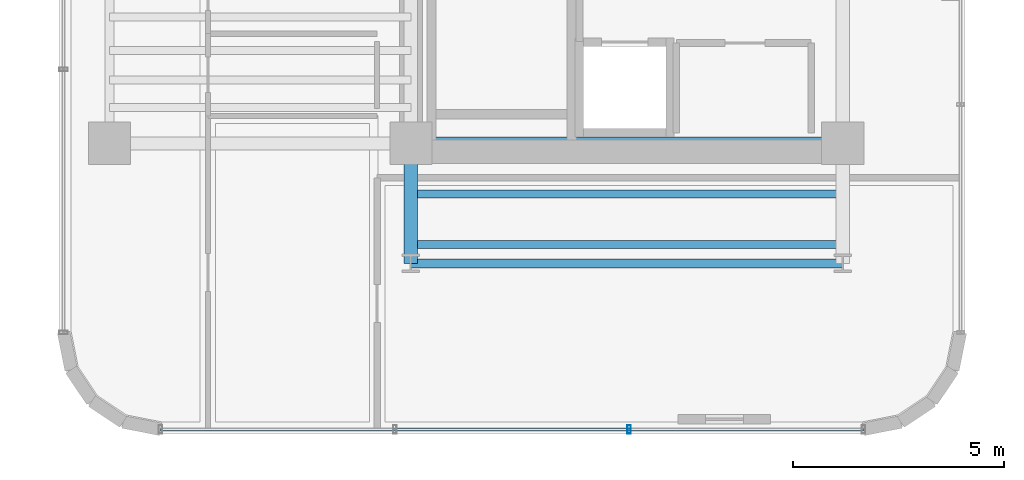
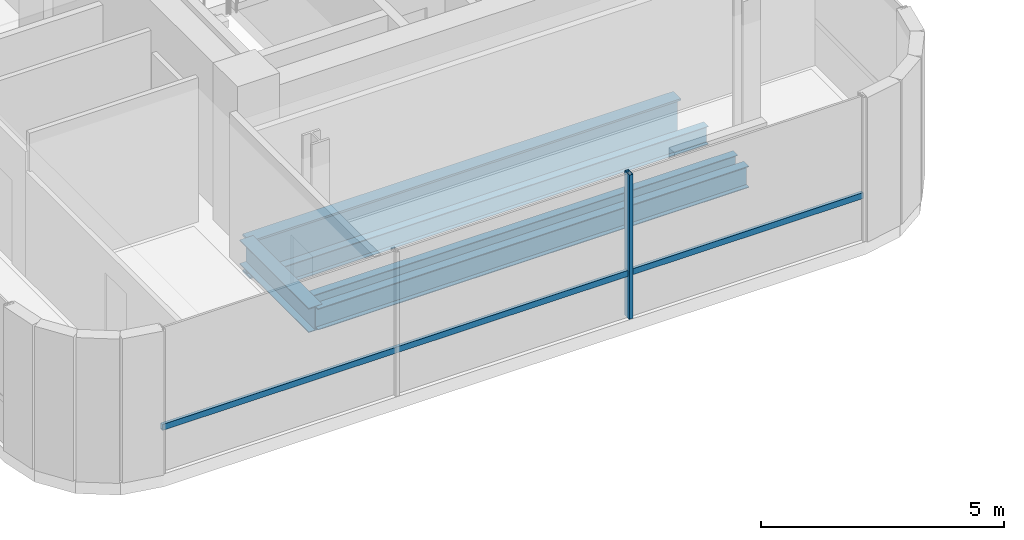
# One storey, part 3 of 38: 5 beams, 2 members, 1 element without a shape of its own.
"""IFC4 building model written with IfcOpenShell, lengths in metres."""

from ifc_helpers import new_model, si_unit, direction, frame, origin, origin_2d, place, context, subcontext, project, spatial, hollow_rectangle, i_section, extrude, source, transform, mapped, material, material_profile, profile_set, type_object, element, aggregate, save


model = new_model("IFC4")

# Units and contexts
model_context = context("Model", 3, precision=1e-05, world=origin(), true_north=direction((0.0, 1.0)))
body_context = subcontext(model_context, "Body", "Model", "MODEL_VIEW")
ifc_project = project(units=[si_unit("LENGTHUNIT", "METRE"), si_unit("AREAUNIT", "SQUARE_METRE"), si_unit("VOLUMEUNIT", "CUBIC_METRE"), si_unit("PLANEANGLEUNIT", "RADIAN"), si_unit("MASSUNIT", "GRAM", prefix="KILO")], contexts=[model_context])

# Site, building, storey
site_placement = place(None, origin())
site = spatial("IfcSite", under=ifc_project, at=site_placement, CompositionType="ELEMENT")
building_placement = place(site_placement, origin())
building = spatial("IfcBuilding", under=site, at=building_placement, Name="Valdorenza Pilgrim Sanctuary Tower", CompositionType="ELEMENT")
storey_placement = place(building_placement, frame((0.0, 0.0, 180.5)))
storey = spatial("IfcBuildingStorey", under=building, at=storey_placement, Name="L46", CompositionType="ELEMENT", Elevation=180.5)

# Beams
ifc_material_1 = material(Name="Steel ASTM A992 Grade 50", Category="steel")
ifc_material_profile_1 = material_profile(ifc_material_1, i_section(OverallWidth=0.323974609375, OverallDepth=0.611083984375, WebThickness=0.0126953125, FlangeThickness=0.01904296875, at=origin_2d()), Name="W24X104")
ifc_profile_set_1 = profile_set([ifc_material_profile_1], Name="Steel ASTM A992 Grade 50")
beam_type_1 = type_object("IfcBeamType", Name="STR-BM-GRD-W24B", PredefinedType="BEAM", material=ifc_profile_set_1)
shared_shape_1 = source(origin(), body_context, "Body", "SweptSolid", [
    extrude(i_section(OverallWidth=0.323974609375, OverallDepth=0.611083984375, WebThickness=0.0126953125, FlangeThickness=0.01904296875, at=origin_2d()), origin(), (0.0, 0.0, 1.0), 2.849853515625),
])
beam_1_placement = place(storey_placement, frame((-22.64990234375, -13.449951171875, -0.62548828125), z_axis=(0.0, 1.0, 0.0), x_axis=(-1.0, 0.0, 0.0)))
element("IfcBeam", 1, at=beam_1_placement, inside=storey, type_object=beam_type_1, Name="L46 Floor Girder WA-S-LW", PredefinedType="BEAM", context=body_context, shape_type="MappedRepresentation", body=[
    mapped(shared_shape_1, transform((0.0, 0.0, 0.0), x_axis=(1.0, 0.0, 0.0), y_axis=(0.0, 1.0, 0.0), z_axis=(0.0, 0.0, 1.0), scale=1.0)),
])
ifc_material_profile_2 = material_profile(ifc_material_1, i_section(OverallWidth=0.19091796875, OverallDepth=0.45703125, WebThickness=0.009033203125, FlangeThickness=0.014404296875, at=origin_2d()), Name="W18X50")
ifc_profile_set_2 = profile_set([ifc_material_profile_2], Name="Steel ASTM A992 Grade 50")
beam_type_2 = type_object("IfcBeamType", Name="STR-BM-JST-W18B", PredefinedType="JOIST", material=ifc_profile_set_2)
shared_shape_2 = source(origin(), body_context, "Body", "SweptSolid", [
    extrude(i_section(OverallWidth=0.19091796875, OverallDepth=0.45703125, WebThickness=0.009033203125, FlangeThickness=0.014404296875, at=origin_2d()), origin(), (0.0, 0.0, 1.0), 10.25),
])
for number, where, z_axis, x_axis, name in (
    (2, (-22.64990234375, -13.0, -0.548583984375), (1.0, 0.0, 0.0), (0.0, 1.0, 0.0), "L46 Composite Floor Joist JST-WAS-1"),
    (3, (-22.64990234375, -11.800048828125, -0.548583984375), (1.0, 0.0, 0.0), (0.0, 1.0, 0.0), "L46 Composite Floor Joist JST-WAS-2"),
):
    element("IfcBeam", number, at=place(storey_placement, frame(where, z_axis=z_axis, x_axis=x_axis)), inside=storey, type_object=beam_type_2, Name=name, PredefinedType="JOIST", context=body_context, shape_type="MappedRepresentation", body=[
        mapped(shared_shape_2, transform((0.0, 0.0, 0.0), x_axis=(1.0, 0.0, 0.0), y_axis=(0.0, 1.0, 0.0), z_axis=(0.0, 0.0, 1.0), scale=1.0)),
    ])
ifc_material_profile_3 = material_profile(ifc_material_1, i_section(OverallWidth=0.2109375, OverallDepth=0.5390625, WebThickness=0.01171875, FlangeThickness=0.018798828125, at=origin_2d()), Name="W21X73")
ifc_profile_set_3 = profile_set([ifc_material_profile_3], Name="Steel ASTM A992 Grade 50")
beam_type_3 = type_object("IfcBeamType", Name="STR-BM-SPN-W21B", PredefinedType="SPANDREL", material=ifc_profile_set_3)
shared_shape_3 = source(origin(), body_context, "Body", "SweptSolid", [
    extrude(i_section(OverallWidth=0.2109375, OverallDepth=0.5390625, WebThickness=0.01171875, FlangeThickness=0.018798828125, at=origin_2d()), origin(), (0.0, 0.0, 1.0), 10.25),
])
beam_2_placement = place(storey_placement, frame((-22.64990234375, -13.449951171875, -0.589599609375), z_axis=(1.0, 0.0, 0.0), x_axis=(0.0, 1.0, 0.0)))
element("IfcBeam", 4, at=beam_2_placement, inside=storey, type_object=beam_type_3, Name="L46 South Spandrel WA-S-TIE", PredefinedType="SPANDREL", context=body_context, shape_type="MappedRepresentation", body=[
    mapped(shared_shape_3, transform((0.0, 0.0, 0.0), x_axis=(1.0, 0.0, 0.0), y_axis=(0.0, 1.0, 0.0), z_axis=(0.0, 0.0, 1.0), scale=1.0)),
])
ifc_material_profile_4 = material_profile(ifc_material_1, i_section(OverallWidth=0.31005859375, OverallDepth=0.949951171875, WebThickness=0.0244140625, FlangeThickness=0.0439453125, at=origin_2d()), Name="W36X256")
ifc_profile_set_4 = profile_set([ifc_material_profile_4], Name="Steel ASTM A992 Grade 50")
beam_type_4 = type_object("IfcBeamType", Name="STR-BM-GRD-W36B", PredefinedType="BEAM", material=ifc_profile_set_4)
shared_shape_4 = source(origin(), body_context, "Body", "SweptSolid", [
    extrude(i_section(OverallWidth=0.31005859375, OverallDepth=0.949951171875, WebThickness=0.0244140625, FlangeThickness=0.0439453125, at=origin_2d()), origin(), (0.0, 0.0, 1.0), 10.25),
])
beam_3_placement = place(storey_placement, frame((-22.64990234375, -10.60009765625, -0.794921875), z_axis=(1.0, 0.0, 0.0), x_axis=(0.0, 1.0, 0.0)))
element("IfcBeam", 5, at=beam_3_placement, inside=storey, type_object=beam_type_4, Name="L46 Floor Girder CA-XC-S1", PredefinedType="BEAM", context=body_context, shape_type="MappedRepresentation", body=[
    mapped(shared_shape_4, transform((0.0, 0.0, 0.0), x_axis=(1.0, 0.0, 0.0), y_axis=(0.0, 1.0, 0.0), z_axis=(0.0, 0.0, 1.0), scale=1.0)),
])

# Curtain wall, members
ifc_material_2 = material(Name="Curtain-wall IGU glazing", Category="glass")
curtain_wall_type = type_object("IfcCurtainWallType", Name="CW-SYS-02", PredefinedType="NOTDEFINED", material=ifc_material_2)
curtain_wall_placement = place(storey_placement, origin())
curtain_wall = element("IfcCurtainWall", 6, at=curtain_wall_placement, inside=storey, type_object=curtain_wall_type, Name="L46 Curtain Wall CW-L46-1-82", PredefinedType="NOTDEFINED")
ifc_material_3 = material(Name="Anodised aluminium AW-6060", Category="aluminium")
ifc_material_profile_5 = material_profile(ifc_material_3, hollow_rectangle(XDim=0.074951171875, YDim=0.14990234375, WallThickness=0.00390625, at=origin_2d()), Name="ALU-T 150x75x4")
ifc_profile_set_5 = profile_set([ifc_material_profile_5], Name="Anodised aluminium AW-6060")
member_type_1 = type_object("IfcMemberType", Name="CW-TRN-02", PredefinedType="USERDEFINED", material=ifc_profile_set_5)
shared_shape_5 = source(origin(), body_context, "Body", "SweptSolid", [
    extrude(hollow_rectangle(XDim=0.074951171875, YDim=0.14990234375, WallThickness=0.00390625, at=origin_2d()), origin(), (0.0, 0.0, 1.0), 16.67822265625),
])
member_1_placement = place(storey_placement, frame((-11.910888671875, -17.389892578125, 1.1201171875), z_axis=(-1.0, 0.0, 0.0), x_axis=(0.0, -1.0, 0.0)))
member_1 = element("IfcMember", 7, at=member_1_placement, type_object=member_type_1, Name="CW-L46-1-82 Transom 1", ObjectType="TRANSOM", PredefinedType="USERDEFINED", context=body_context, shape_type="MappedRepresentation", body=[
    mapped(shared_shape_5, transform((0.0, 0.0, 0.0), x_axis=(1.0, 0.0, 0.0), y_axis=(0.0, 1.0, 0.0), z_axis=(0.0, 0.0, 1.0), scale=1.0)),
])
ifc_material_profile_6 = material_profile(ifc_material_3, hollow_rectangle(XDim=0.0849609375, YDim=0.199951171875, WallThickness=0.0048828125, at=origin_2d()), Name="ALU-M 200x85x5")
ifc_profile_set_6 = profile_set([ifc_material_profile_6], Name="Anodised aluminium AW-6060")
member_type_2 = type_object("IfcMemberType", Name="CW-MUL-02", PredefinedType="MULLION", material=ifc_profile_set_6)
shared_shape_6 = source(origin(), body_context, "Body", "SweptSolid", [
    extrude(hollow_rectangle(XDim=0.0849609375, YDim=0.199951171875, WallThickness=0.0048828125, at=origin_2d()), origin(), (0.0, 0.0, 1.0), 3.6298828125),
])
member_2_placement = place(storey_placement, frame((-17.47021484375, -17.389892578125, 0.0), z_axis=(0.0, 0.0, 1.0), x_axis=(-1.0, 0.0, 0.0)))
member_2 = element("IfcMember", 8, at=member_2_placement, type_object=member_type_2, Name="CW-L46-1-82 Mullion 2", PredefinedType="MULLION", context=body_context, shape_type="MappedRepresentation", body=[
    mapped(shared_shape_6, transform((0.0, 0.0, 0.0), x_axis=(1.0, 0.0, 0.0), y_axis=(0.0, 1.0, 0.0), z_axis=(0.0, 0.0, 1.0), scale=1.0)),
])
aggregate(curtain_wall, [member_2, member_1])

save(model, "model.ifc")
